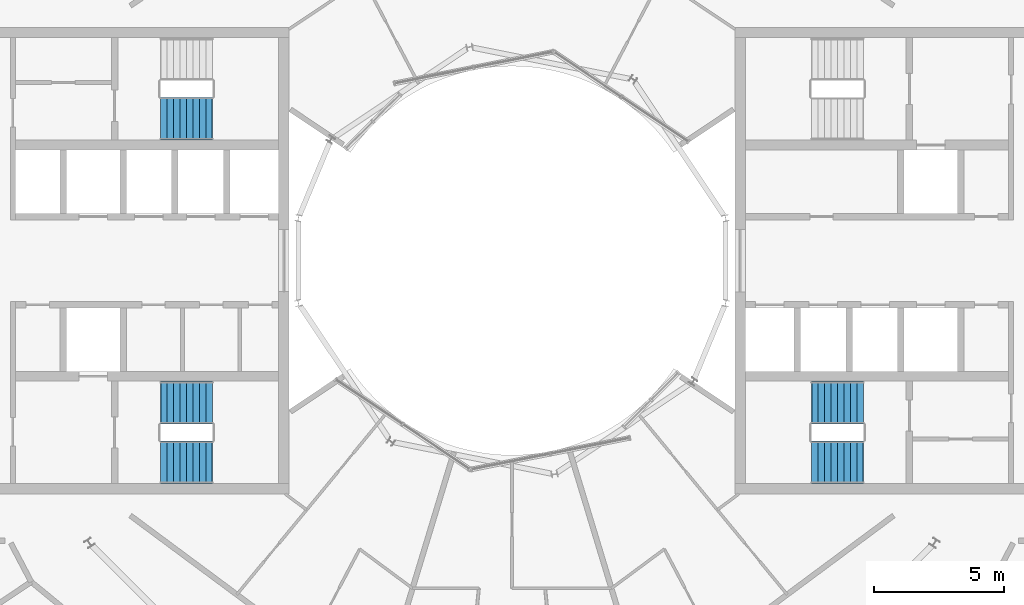
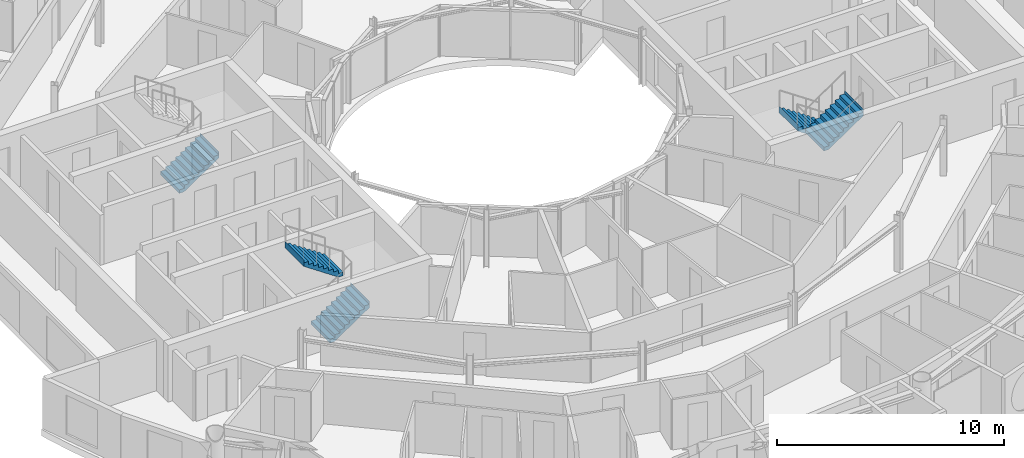
# One storey, part 25 of 28: 5 stair flights, 3 elements without a shape of their own.
"""IFC4 building model written with IfcOpenShell, lengths in metres."""

from ifc_helpers import new_model, si_unit, direction, frame, origin, place, context, subcontext, project, spatial, triangles, material, type_object, element, aggregate, save


model = new_model("IFC4")

# Units and contexts
model_context = context("Model", 3, precision=1e-05, world=origin(), true_north=direction((0.0, 1.0)))
body_context = subcontext(model_context, "Body", "Model", "MODEL_VIEW")
ifc_project = project(units=[si_unit("LENGTHUNIT", "METRE"), si_unit("AREAUNIT", "SQUARE_METRE"), si_unit("VOLUMEUNIT", "CUBIC_METRE"), si_unit("PLANEANGLEUNIT", "RADIAN"), si_unit("MASSUNIT", "GRAM", prefix="KILO")], contexts=[model_context])

# Site, building, storey
site_placement = place(None, origin())
site = spatial("IfcSite", under=ifc_project, at=site_placement, CompositionType="ELEMENT")
building_placement = place(site_placement, origin())
building = spatial("IfcBuilding", under=site, at=building_placement, Name="Maasbend Ring Residences", CompositionType="ELEMENT")
storey_placement = place(building_placement, frame((0.0, 0.0, 227.949951171875)))
storey = spatial("IfcBuildingStorey", under=building, at=storey_placement, Name="L65", CompositionType="ELEMENT", Elevation=227.949951171875)

# Stair, stair flights
ifc_material_1 = material(Name="Concrete C40/50", Category="concrete")
stair_type = type_object("IfcStairType", Name="CORE STAIR 18 RISERS", PredefinedType="HALF_TURN_STAIR", material=ifc_material_1)
stair_1_placement = place(storey_placement, origin())
stair_1 = element("IfcStair", 1, at=stair_1_placement, inside=storey, type_object=stair_type, Name="L65 Exit stair ST-E2", PredefinedType="HALF_TURN_STAIR")
ifc_material_2 = material(Name="Concrete C40/50", Category="concrete")
stair_flight_type = type_object("IfcStairFlightType", Name="CORE STAIR FLIGHT 1650", PredefinedType="STRAIGHT", material=ifc_material_2)
stair_flight_1_placement = place(storey_placement, frame((13.550048828125, -5.47509765625, 0.0), z_axis=(0.0, 0.0, 1.0), x_axis=(-1.0, 0.0, 0.0)))
stair_flight_1 = element("IfcStairFlight", 2, at=stair_flight_1_placement, type_object=stair_flight_type, Name="ST-E2 flight 1", NumberOfRisers=9, NumberOfTreads=8, PredefinedType="STRAIGHT", RiserHeight=0.169444444, TreadLength=0.25, context=body_context, shape_type="Tessellation", body=[
    triangles([(0.24072265625, 0.824951171875, -0.02001953125), (2.0029296875, 0.824951171875, 1.174560546875), (2.0029296875, 0.824951171875, 1.52490234375), (1.989990234375, 0.824951171875, 1.35546875), (1.75, 0.824951171875, 1.35546875), (1.75, 0.824951171875, 1.18603515625), (1.5, 0.824951171875, 1.18603515625), (1.5, 0.824951171875, 1.0166015625), (1.25, 0.824951171875, 1.0166015625), (1.25, 0.824951171875, 0.84716796875), (1.0, 0.824951171875, 0.84716796875), (1.0, 0.824951171875, 0.677734375), (0.75, 0.824951171875, 0.677734375), (0.75, 0.824951171875, 0.50830078125), (0.5, 0.824951171875, 0.50830078125), (0.5, 0.824951171875, 0.3388671875), (0.25, 0.824951171875, 0.3388671875), (0.25, 0.824951171875, 0.16943359375), (0.0, 0.824951171875, 0.16943359375), (0.0, 0.824951171875, 0.0), (-0.0029296875, 0.824951171875, 0.0), (-0.0029296875, 0.824951171875, -0.02001953125), (0.24072265625, 0.27490234375, -0.02001953125), (2.0029296875, 0.27490234375, 1.174560546875), (2.0029296875, 0.27490234375, 1.52490234375), (1.989990234375, 0.27490234375, 1.35546875), (1.75, 0.27490234375, 1.35546875), (1.75, 0.27490234375, 1.18603515625), (1.5, 0.27490234375, 1.18603515625), (1.5, 0.27490234375, 1.0166015625), (1.25, 0.27490234375, 1.0166015625), (1.25, 0.27490234375, 0.84716796875), (1.0, 0.27490234375, 0.84716796875), (1.0, 0.27490234375, 0.677734375), (0.75, 0.27490234375, 0.677734375), (0.75, 0.27490234375, 0.50830078125), (0.5, 0.27490234375, 0.50830078125), (0.5, 0.27490234375, 0.3388671875), (0.25, 0.27490234375, 0.3388671875), (0.25, 0.27490234375, 0.16943359375), (0.0, 0.27490234375, 0.16943359375), (0.0, 0.27490234375, 0.0), (-0.0029296875, 0.27490234375, 0.0), (-0.0029296875, 0.27490234375, -0.02001953125), (0.24072265625, -0.27490234375, -0.02001953125), (2.0029296875, -0.27490234375, 1.174560546875), (2.0029296875, -0.27490234375, 1.52490234375), (1.989990234375, -0.27490234375, 1.35546875), (1.75, -0.27490234375, 1.35546875), (1.75, -0.27490234375, 1.18603515625), (1.5, -0.27490234375, 1.18603515625), (1.5, -0.27490234375, 1.0166015625), (1.25, -0.27490234375, 1.0166015625), (1.25, -0.27490234375, 0.84716796875), (1.0, -0.27490234375, 0.84716796875), (1.0, -0.27490234375, 0.677734375), (0.75, -0.27490234375, 0.677734375), (0.75, -0.27490234375, 0.50830078125), (0.5, -0.27490234375, 0.50830078125), (0.5, -0.27490234375, 0.3388671875), (0.25, -0.27490234375, 0.3388671875), (0.25, -0.27490234375, 0.16943359375), (0.0, -0.27490234375, 0.16943359375), (0.0, -0.27490234375, 0.0), (-0.0029296875, -0.27490234375, 0.0), (-0.0029296875, -0.27490234375, -0.02001953125), (0.24072265625, -0.824951171875, -0.02001953125), (2.0029296875, -0.824951171875, 1.174560546875), (2.0029296875, -0.824951171875, 1.52490234375), (1.989990234375, -0.824951171875, 1.35546875), (1.75, -0.824951171875, 1.35546875), (1.75, -0.824951171875, 1.18603515625), (1.5, -0.824951171875, 1.18603515625), (1.5, -0.824951171875, 1.0166015625), (1.25, -0.824951171875, 1.0166015625), (1.25, -0.824951171875, 0.84716796875), (1.0, -0.824951171875, 0.84716796875), (1.0, -0.824951171875, 0.677734375), (0.75, -0.824951171875, 0.677734375), (0.75, -0.824951171875, 0.50830078125), (0.5, -0.824951171875, 0.50830078125), (0.5, -0.824951171875, 0.3388671875), (0.25, -0.824951171875, 0.3388671875), (0.25, -0.824951171875, 0.16943359375), (0.0, -0.824951171875, 0.16943359375), (0.0, -0.824951171875, 0.0), (-0.0029296875, -0.824951171875, 0.0), (-0.0029296875, -0.824951171875, -0.02001953125)], [[1, 2, 24], [1, 24, 23], [23, 24, 46], [23, 46, 45], [45, 46, 68], [45, 68, 67], [2, 3, 25], [2, 25, 24], [24, 25, 47], [24, 47, 46], [46, 47, 69], [46, 69, 68], [3, 4, 26], [3, 26, 25], [25, 26, 48], [25, 48, 47], [47, 48, 70], [47, 70, 69], [4, 5, 27], [4, 27, 26], [26, 27, 49], [26, 49, 48], [48, 49, 71], [48, 71, 70], [5, 6, 28], [5, 28, 27], [27, 28, 50], [27, 50, 49], [49, 50, 72], [49, 72, 71], [6, 7, 29], [6, 29, 28], [28, 29, 51], [28, 51, 50], [50, 51, 73], [50, 73, 72], [7, 8, 30], [7, 30, 29], [29, 30, 52], [29, 52, 51], [51, 52, 74], [51, 74, 73], [8, 9, 31], [8, 31, 30], [30, 31, 53], [30, 53, 52], [52, 53, 75], [52, 75, 74], [9, 10, 32], [9, 32, 31], [31, 32, 54], [31, 54, 53], [53, 54, 76], [53, 76, 75], [10, 11, 33], [10, 33, 32], [32, 33, 55], [32, 55, 54], [54, 55, 77], [54, 77, 76], [11, 12, 34], [11, 34, 33], [33, 34, 56], [33, 56, 55], [55, 56, 78], [55, 78, 77], [12, 13, 35], [12, 35, 34], [34, 35, 57], [34, 57, 56], [56, 57, 79], [56, 79, 78], [13, 14, 36], [13, 36, 35], [35, 36, 58], [35, 58, 57], [57, 58, 80], [57, 80, 79], [14, 15, 37], [14, 37, 36], [36, 37, 59], [36, 59, 58], [58, 59, 81], [58, 81, 80], [15, 16, 38], [15, 38, 37], [37, 38, 60], [37, 60, 59], [59, 60, 82], [59, 82, 81], [16, 17, 39], [16, 39, 38], [38, 39, 61], [38, 61, 60], [60, 61, 83], [60, 83, 82], [17, 18, 40], [17, 40, 39], [39, 40, 62], [39, 62, 61], [61, 62, 84], [61, 84, 83], [18, 19, 41], [18, 41, 40], [40, 41, 63], [40, 63, 62], [62, 63, 85], [62, 85, 84], [19, 20, 42], [19, 42, 41], [41, 42, 64], [41, 64, 63], [63, 64, 86], [63, 86, 85], [20, 21, 43], [20, 43, 42], [42, 43, 65], [42, 65, 64], [64, 65, 87], [64, 87, 86], [21, 22, 44], [21, 44, 43], [43, 44, 66], [43, 66, 65], [65, 66, 88], [65, 88, 87], [22, 1, 23], [22, 23, 44], [44, 23, 45], [44, 45, 66], [66, 45, 67], [66, 67, 88], [22, 2, 1], [2, 4, 3], [2, 5, 4], [2, 6, 5], [22, 6, 2], [6, 8, 7], [22, 8, 6], [8, 10, 9], [22, 10, 8], [10, 12, 11], [22, 12, 10], [12, 14, 13], [22, 14, 12], [14, 16, 15], [22, 16, 14], [16, 18, 17], [22, 18, 16], [18, 20, 19], [22, 20, 18], [20, 22, 21], [88, 67, 68], [68, 69, 70], [68, 70, 71], [68, 71, 72], [88, 68, 72], [72, 73, 74], [88, 72, 74], [74, 75, 76], [88, 74, 76], [76, 77, 78], [88, 76, 78], [78, 79, 80], [88, 78, 80], [80, 81, 82], [88, 80, 82], [82, 83, 84], [88, 82, 84], [84, 85, 86], [88, 84, 86], [86, 87, 88]], closed=True),
])
stair_flight_2_placement = place(storey_placement, frame((11.550048828125, -7.77490234375, 1.525146484375), z_axis=(0.0, 0.0, 1.0), x_axis=(1.0, 0.0, 0.0)))
stair_flight_2 = element("IfcStairFlight", 3, at=stair_flight_2_placement, type_object=stair_flight_type, Name="ST-E2 flight 2", NumberOfRisers=9, NumberOfTreads=8, PredefinedType="STRAIGHT", RiserHeight=0.169444444, TreadLength=0.25, context=body_context, shape_type="Tessellation", body=[
    triangles([(0.24072265625, 0.824951171875, -0.02001953125), (2.0029296875, 0.824951171875, 1.174560546875), (2.0029296875, 0.824951171875, 1.52490234375), (1.989990234375, 0.824951171875, 1.35546875), (1.75, 0.824951171875, 1.35546875), (1.75, 0.824951171875, 1.18603515625), (1.5, 0.824951171875, 1.18603515625), (1.5, 0.824951171875, 1.0166015625), (1.25, 0.824951171875, 1.0166015625), (1.25, 0.824951171875, 0.84716796875), (1.0, 0.824951171875, 0.84716796875), (1.0, 0.824951171875, 0.677734375), (0.75, 0.824951171875, 0.677734375), (0.75, 0.824951171875, 0.50830078125), (0.5, 0.824951171875, 0.50830078125), (0.5, 0.824951171875, 0.3388671875), (0.25, 0.824951171875, 0.3388671875), (0.25, 0.824951171875, 0.16943359375), (0.0, 0.824951171875, 0.16943359375), (0.0, 0.824951171875, 0.0), (-0.0029296875, 0.824951171875, 0.0), (-0.0029296875, 0.824951171875, -0.02001953125), (0.24072265625, 0.27490234375, -0.02001953125), (2.0029296875, 0.27490234375, 1.174560546875), (2.0029296875, 0.27490234375, 1.52490234375), (1.989990234375, 0.27490234375, 1.35546875), (1.75, 0.27490234375, 1.35546875), (1.75, 0.27490234375, 1.18603515625), (1.5, 0.27490234375, 1.18603515625), (1.5, 0.27490234375, 1.0166015625), (1.25, 0.27490234375, 1.0166015625), (1.25, 0.27490234375, 0.84716796875), (1.0, 0.27490234375, 0.84716796875), (1.0, 0.27490234375, 0.677734375), (0.75, 0.27490234375, 0.677734375), (0.75, 0.27490234375, 0.50830078125), (0.5, 0.27490234375, 0.50830078125), (0.5, 0.27490234375, 0.3388671875), (0.25, 0.27490234375, 0.3388671875), (0.25, 0.27490234375, 0.16943359375), (0.0, 0.27490234375, 0.16943359375), (0.0, 0.27490234375, 0.0), (-0.0029296875, 0.27490234375, 0.0), (-0.0029296875, 0.27490234375, -0.02001953125), (0.24072265625, -0.27490234375, -0.02001953125), (2.0029296875, -0.27490234375, 1.174560546875), (2.0029296875, -0.27490234375, 1.52490234375), (1.989990234375, -0.27490234375, 1.35546875), (1.75, -0.27490234375, 1.35546875), (1.75, -0.27490234375, 1.18603515625), (1.5, -0.27490234375, 1.18603515625), (1.5, -0.27490234375, 1.0166015625), (1.25, -0.27490234375, 1.0166015625), (1.25, -0.27490234375, 0.84716796875), (1.0, -0.27490234375, 0.84716796875), (1.0, -0.27490234375, 0.677734375), (0.75, -0.27490234375, 0.677734375), (0.75, -0.27490234375, 0.50830078125), (0.5, -0.27490234375, 0.50830078125), (0.5, -0.27490234375, 0.3388671875), (0.25, -0.27490234375, 0.3388671875), (0.25, -0.27490234375, 0.16943359375), (0.0, -0.27490234375, 0.16943359375), (0.0, -0.27490234375, 0.0), (-0.0029296875, -0.27490234375, 0.0), (-0.0029296875, -0.27490234375, -0.02001953125), (0.24072265625, -0.824951171875, -0.02001953125), (2.0029296875, -0.824951171875, 1.174560546875), (2.0029296875, -0.824951171875, 1.52490234375), (1.989990234375, -0.824951171875, 1.35546875), (1.75, -0.824951171875, 1.35546875), (1.75, -0.824951171875, 1.18603515625), (1.5, -0.824951171875, 1.18603515625), (1.5, -0.824951171875, 1.0166015625), (1.25, -0.824951171875, 1.0166015625), (1.25, -0.824951171875, 0.84716796875), (1.0, -0.824951171875, 0.84716796875), (1.0, -0.824951171875, 0.677734375), (0.75, -0.824951171875, 0.677734375), (0.75, -0.824951171875, 0.50830078125), (0.5, -0.824951171875, 0.50830078125), (0.5, -0.824951171875, 0.3388671875), (0.25, -0.824951171875, 0.3388671875), (0.25, -0.824951171875, 0.16943359375), (0.0, -0.824951171875, 0.16943359375), (0.0, -0.824951171875, 0.0), (-0.0029296875, -0.824951171875, 0.0), (-0.0029296875, -0.824951171875, -0.02001953125)], [[1, 2, 24], [1, 24, 23], [23, 24, 46], [23, 46, 45], [45, 46, 68], [45, 68, 67], [2, 3, 25], [2, 25, 24], [24, 25, 47], [24, 47, 46], [46, 47, 69], [46, 69, 68], [3, 4, 26], [3, 26, 25], [25, 26, 48], [25, 48, 47], [47, 48, 70], [47, 70, 69], [4, 5, 27], [4, 27, 26], [26, 27, 49], [26, 49, 48], [48, 49, 71], [48, 71, 70], [5, 6, 28], [5, 28, 27], [27, 28, 50], [27, 50, 49], [49, 50, 72], [49, 72, 71], [6, 7, 29], [6, 29, 28], [28, 29, 51], [28, 51, 50], [50, 51, 73], [50, 73, 72], [7, 8, 30], [7, 30, 29], [29, 30, 52], [29, 52, 51], [51, 52, 74], [51, 74, 73], [8, 9, 31], [8, 31, 30], [30, 31, 53], [30, 53, 52], [52, 53, 75], [52, 75, 74], [9, 10, 32], [9, 32, 31], [31, 32, 54], [31, 54, 53], [53, 54, 76], [53, 76, 75], [10, 11, 33], [10, 33, 32], [32, 33, 55], [32, 55, 54], [54, 55, 77], [54, 77, 76], [11, 12, 34], [11, 34, 33], [33, 34, 56], [33, 56, 55], [55, 56, 78], [55, 78, 77], [12, 13, 35], [12, 35, 34], [34, 35, 57], [34, 57, 56], [56, 57, 79], [56, 79, 78], [13, 14, 36], [13, 36, 35], [35, 36, 58], [35, 58, 57], [57, 58, 80], [57, 80, 79], [14, 15, 37], [14, 37, 36], [36, 37, 59], [36, 59, 58], [58, 59, 81], [58, 81, 80], [15, 16, 38], [15, 38, 37], [37, 38, 60], [37, 60, 59], [59, 60, 82], [59, 82, 81], [16, 17, 39], [16, 39, 38], [38, 39, 61], [38, 61, 60], [60, 61, 83], [60, 83, 82], [17, 18, 40], [17, 40, 39], [39, 40, 62], [39, 62, 61], [61, 62, 84], [61, 84, 83], [18, 19, 41], [18, 41, 40], [40, 41, 63], [40, 63, 62], [62, 63, 85], [62, 85, 84], [19, 20, 42], [19, 42, 41], [41, 42, 64], [41, 64, 63], [63, 64, 86], [63, 86, 85], [20, 21, 43], [20, 43, 42], [42, 43, 65], [42, 65, 64], [64, 65, 87], [64, 87, 86], [21, 22, 44], [21, 44, 43], [43, 44, 66], [43, 66, 65], [65, 66, 88], [65, 88, 87], [22, 1, 23], [22, 23, 44], [44, 23, 45], [44, 45, 66], [66, 45, 67], [66, 67, 88], [22, 2, 1], [2, 4, 3], [2, 5, 4], [2, 6, 5], [22, 6, 2], [6, 8, 7], [22, 8, 6], [8, 10, 9], [22, 10, 8], [10, 12, 11], [22, 12, 10], [12, 14, 13], [22, 14, 12], [14, 16, 15], [22, 16, 14], [16, 18, 17], [22, 18, 16], [18, 20, 19], [22, 20, 18], [20, 22, 21], [88, 67, 68], [68, 69, 70], [68, 70, 71], [68, 71, 72], [88, 68, 72], [72, 73, 74], [88, 72, 74], [74, 75, 76], [88, 74, 76], [76, 77, 78], [88, 76, 78], [78, 79, 80], [88, 78, 80], [80, 81, 82], [88, 80, 82], [82, 83, 84], [88, 82, 84], [84, 85, 86], [88, 84, 86], [86, 87, 88]], closed=True),
])
aggregate(stair_1, [stair_flight_1, stair_flight_2])

stair_2_placement = place(storey_placement, origin())
stair_2 = element("IfcStair", 4, at=stair_2_placement, inside=storey, type_object=stair_type, Name="L65 Exit stair ST-W1", PredefinedType="HALF_TURN_STAIR")
stair_flight_3_placement = place(storey_placement, frame((-13.550048828125, -7.77490234375, 0.0), z_axis=(0.0, 0.0, 1.0), x_axis=(1.0, 0.0, 0.0)))
stair_flight_3 = element("IfcStairFlight", 5, at=stair_flight_3_placement, type_object=stair_flight_type, Name="ST-W1 flight 1", NumberOfRisers=9, NumberOfTreads=8, PredefinedType="STRAIGHT", RiserHeight=0.169444444, TreadLength=0.25, context=body_context, shape_type="Tessellation", body=[
    triangles([(0.24072265625, 0.824951171875, -0.02001953125), (2.0029296875, 0.824951171875, 1.174560546875), (2.0029296875, 0.824951171875, 1.52490234375), (1.989990234375, 0.824951171875, 1.35546875), (1.75, 0.824951171875, 1.35546875), (1.75, 0.824951171875, 1.18603515625), (1.5, 0.824951171875, 1.18603515625), (1.5, 0.824951171875, 1.0166015625), (1.25, 0.824951171875, 1.0166015625), (1.25, 0.824951171875, 0.84716796875), (1.0, 0.824951171875, 0.84716796875), (1.0, 0.824951171875, 0.677734375), (0.75, 0.824951171875, 0.677734375), (0.75, 0.824951171875, 0.50830078125), (0.5, 0.824951171875, 0.50830078125), (0.5, 0.824951171875, 0.3388671875), (0.25, 0.824951171875, 0.3388671875), (0.25, 0.824951171875, 0.16943359375), (0.0, 0.824951171875, 0.16943359375), (0.0, 0.824951171875, 0.0), (-0.0029296875, 0.824951171875, 0.0), (-0.0029296875, 0.824951171875, -0.02001953125), (0.24072265625, 0.27490234375, -0.02001953125), (2.0029296875, 0.27490234375, 1.174560546875), (2.0029296875, 0.27490234375, 1.52490234375), (1.989990234375, 0.27490234375, 1.35546875), (1.75, 0.27490234375, 1.35546875), (1.75, 0.27490234375, 1.18603515625), (1.5, 0.27490234375, 1.18603515625), (1.5, 0.27490234375, 1.0166015625), (1.25, 0.27490234375, 1.0166015625), (1.25, 0.27490234375, 0.84716796875), (1.0, 0.27490234375, 0.84716796875), (1.0, 0.27490234375, 0.677734375), (0.75, 0.27490234375, 0.677734375), (0.75, 0.27490234375, 0.50830078125), (0.5, 0.27490234375, 0.50830078125), (0.5, 0.27490234375, 0.3388671875), (0.25, 0.27490234375, 0.3388671875), (0.25, 0.27490234375, 0.16943359375), (0.0, 0.27490234375, 0.16943359375), (0.0, 0.27490234375, 0.0), (-0.0029296875, 0.27490234375, 0.0), (-0.0029296875, 0.27490234375, -0.02001953125), (0.24072265625, -0.27490234375, -0.02001953125), (2.0029296875, -0.27490234375, 1.174560546875), (2.0029296875, -0.27490234375, 1.52490234375), (1.989990234375, -0.27490234375, 1.35546875), (1.75, -0.27490234375, 1.35546875), (1.75, -0.27490234375, 1.18603515625), (1.5, -0.27490234375, 1.18603515625), (1.5, -0.27490234375, 1.0166015625), (1.25, -0.27490234375, 1.0166015625), (1.25, -0.27490234375, 0.84716796875), (1.0, -0.27490234375, 0.84716796875), (1.0, -0.27490234375, 0.677734375), (0.75, -0.27490234375, 0.677734375), (0.75, -0.27490234375, 0.50830078125), (0.5, -0.27490234375, 0.50830078125), (0.5, -0.27490234375, 0.3388671875), (0.25, -0.27490234375, 0.3388671875), (0.25, -0.27490234375, 0.16943359375), (0.0, -0.27490234375, 0.16943359375), (0.0, -0.27490234375, 0.0), (-0.0029296875, -0.27490234375, 0.0), (-0.0029296875, -0.27490234375, -0.02001953125), (0.24072265625, -0.824951171875, -0.02001953125), (2.0029296875, -0.824951171875, 1.174560546875), (2.0029296875, -0.824951171875, 1.52490234375), (1.989990234375, -0.824951171875, 1.35546875), (1.75, -0.824951171875, 1.35546875), (1.75, -0.824951171875, 1.18603515625), (1.5, -0.824951171875, 1.18603515625), (1.5, -0.824951171875, 1.0166015625), (1.25, -0.824951171875, 1.0166015625), (1.25, -0.824951171875, 0.84716796875), (1.0, -0.824951171875, 0.84716796875), (1.0, -0.824951171875, 0.677734375), (0.75, -0.824951171875, 0.677734375), (0.75, -0.824951171875, 0.50830078125), (0.5, -0.824951171875, 0.50830078125), (0.5, -0.824951171875, 0.3388671875), (0.25, -0.824951171875, 0.3388671875), (0.25, -0.824951171875, 0.16943359375), (0.0, -0.824951171875, 0.16943359375), (0.0, -0.824951171875, 0.0), (-0.0029296875, -0.824951171875, 0.0), (-0.0029296875, -0.824951171875, -0.02001953125)], [[1, 2, 24], [1, 24, 23], [23, 24, 46], [23, 46, 45], [45, 46, 68], [45, 68, 67], [2, 3, 25], [2, 25, 24], [24, 25, 47], [24, 47, 46], [46, 47, 69], [46, 69, 68], [3, 4, 26], [3, 26, 25], [25, 26, 48], [25, 48, 47], [47, 48, 70], [47, 70, 69], [4, 5, 27], [4, 27, 26], [26, 27, 49], [26, 49, 48], [48, 49, 71], [48, 71, 70], [5, 6, 28], [5, 28, 27], [27, 28, 50], [27, 50, 49], [49, 50, 72], [49, 72, 71], [6, 7, 29], [6, 29, 28], [28, 29, 51], [28, 51, 50], [50, 51, 73], [50, 73, 72], [7, 8, 30], [7, 30, 29], [29, 30, 52], [29, 52, 51], [51, 52, 74], [51, 74, 73], [8, 9, 31], [8, 31, 30], [30, 31, 53], [30, 53, 52], [52, 53, 75], [52, 75, 74], [9, 10, 32], [9, 32, 31], [31, 32, 54], [31, 54, 53], [53, 54, 76], [53, 76, 75], [10, 11, 33], [10, 33, 32], [32, 33, 55], [32, 55, 54], [54, 55, 77], [54, 77, 76], [11, 12, 34], [11, 34, 33], [33, 34, 56], [33, 56, 55], [55, 56, 78], [55, 78, 77], [12, 13, 35], [12, 35, 34], [34, 35, 57], [34, 57, 56], [56, 57, 79], [56, 79, 78], [13, 14, 36], [13, 36, 35], [35, 36, 58], [35, 58, 57], [57, 58, 80], [57, 80, 79], [14, 15, 37], [14, 37, 36], [36, 37, 59], [36, 59, 58], [58, 59, 81], [58, 81, 80], [15, 16, 38], [15, 38, 37], [37, 38, 60], [37, 60, 59], [59, 60, 82], [59, 82, 81], [16, 17, 39], [16, 39, 38], [38, 39, 61], [38, 61, 60], [60, 61, 83], [60, 83, 82], [17, 18, 40], [17, 40, 39], [39, 40, 62], [39, 62, 61], [61, 62, 84], [61, 84, 83], [18, 19, 41], [18, 41, 40], [40, 41, 63], [40, 63, 62], [62, 63, 85], [62, 85, 84], [19, 20, 42], [19, 42, 41], [41, 42, 64], [41, 64, 63], [63, 64, 86], [63, 86, 85], [20, 21, 43], [20, 43, 42], [42, 43, 65], [42, 65, 64], [64, 65, 87], [64, 87, 86], [21, 22, 44], [21, 44, 43], [43, 44, 66], [43, 66, 65], [65, 66, 88], [65, 88, 87], [22, 1, 23], [22, 23, 44], [44, 23, 45], [44, 45, 66], [66, 45, 67], [66, 67, 88], [22, 2, 1], [2, 4, 3], [2, 5, 4], [2, 6, 5], [22, 6, 2], [6, 8, 7], [22, 8, 6], [8, 10, 9], [22, 10, 8], [10, 12, 11], [22, 12, 10], [12, 14, 13], [22, 14, 12], [14, 16, 15], [22, 16, 14], [16, 18, 17], [22, 18, 16], [18, 20, 19], [22, 20, 18], [20, 22, 21], [88, 67, 68], [68, 69, 70], [68, 70, 71], [68, 71, 72], [88, 68, 72], [72, 73, 74], [88, 72, 74], [74, 75, 76], [88, 74, 76], [76, 77, 78], [88, 76, 78], [78, 79, 80], [88, 78, 80], [80, 81, 82], [88, 80, 82], [82, 83, 84], [88, 82, 84], [84, 85, 86], [88, 84, 86], [86, 87, 88]], closed=True),
])
stair_flight_4_placement = place(storey_placement, frame((-11.550048828125, -5.47509765625, 1.525146484375), z_axis=(0.0, 0.0, 1.0), x_axis=(-1.0, 0.0, 0.0)))
stair_flight_4 = element("IfcStairFlight", 6, at=stair_flight_4_placement, type_object=stair_flight_type, Name="ST-W1 flight 2", NumberOfRisers=9, NumberOfTreads=8, PredefinedType="STRAIGHT", RiserHeight=0.169444444, TreadLength=0.25, context=body_context, shape_type="Tessellation", body=[
    triangles([(0.24072265625, 0.824951171875, -0.02001953125), (2.0029296875, 0.824951171875, 1.174560546875), (2.0029296875, 0.824951171875, 1.52490234375), (1.989990234375, 0.824951171875, 1.35546875), (1.75, 0.824951171875, 1.35546875), (1.75, 0.824951171875, 1.18603515625), (1.5, 0.824951171875, 1.18603515625), (1.5, 0.824951171875, 1.0166015625), (1.25, 0.824951171875, 1.0166015625), (1.25, 0.824951171875, 0.84716796875), (1.0, 0.824951171875, 0.84716796875), (1.0, 0.824951171875, 0.677734375), (0.75, 0.824951171875, 0.677734375), (0.75, 0.824951171875, 0.50830078125), (0.5, 0.824951171875, 0.50830078125), (0.5, 0.824951171875, 0.3388671875), (0.25, 0.824951171875, 0.3388671875), (0.25, 0.824951171875, 0.16943359375), (0.0, 0.824951171875, 0.16943359375), (0.0, 0.824951171875, 0.0), (-0.0029296875, 0.824951171875, 0.0), (-0.0029296875, 0.824951171875, -0.02001953125), (0.24072265625, 0.27490234375, -0.02001953125), (2.0029296875, 0.27490234375, 1.174560546875), (2.0029296875, 0.27490234375, 1.52490234375), (1.989990234375, 0.27490234375, 1.35546875), (1.75, 0.27490234375, 1.35546875), (1.75, 0.27490234375, 1.18603515625), (1.5, 0.27490234375, 1.18603515625), (1.5, 0.27490234375, 1.0166015625), (1.25, 0.27490234375, 1.0166015625), (1.25, 0.27490234375, 0.84716796875), (1.0, 0.27490234375, 0.84716796875), (1.0, 0.27490234375, 0.677734375), (0.75, 0.27490234375, 0.677734375), (0.75, 0.27490234375, 0.50830078125), (0.5, 0.27490234375, 0.50830078125), (0.5, 0.27490234375, 0.3388671875), (0.25, 0.27490234375, 0.3388671875), (0.25, 0.27490234375, 0.16943359375), (0.0, 0.27490234375, 0.16943359375), (0.0, 0.27490234375, 0.0), (-0.0029296875, 0.27490234375, 0.0), (-0.0029296875, 0.27490234375, -0.02001953125), (0.24072265625, -0.27490234375, -0.02001953125), (2.0029296875, -0.27490234375, 1.174560546875), (2.0029296875, -0.27490234375, 1.52490234375), (1.989990234375, -0.27490234375, 1.35546875), (1.75, -0.27490234375, 1.35546875), (1.75, -0.27490234375, 1.18603515625), (1.5, -0.27490234375, 1.18603515625), (1.5, -0.27490234375, 1.0166015625), (1.25, -0.27490234375, 1.0166015625), (1.25, -0.27490234375, 0.84716796875), (1.0, -0.27490234375, 0.84716796875), (1.0, -0.27490234375, 0.677734375), (0.75, -0.27490234375, 0.677734375), (0.75, -0.27490234375, 0.50830078125), (0.5, -0.27490234375, 0.50830078125), (0.5, -0.27490234375, 0.3388671875), (0.25, -0.27490234375, 0.3388671875), (0.25, -0.27490234375, 0.16943359375), (0.0, -0.27490234375, 0.16943359375), (0.0, -0.27490234375, 0.0), (-0.0029296875, -0.27490234375, 0.0), (-0.0029296875, -0.27490234375, -0.02001953125), (0.24072265625, -0.824951171875, -0.02001953125), (2.0029296875, -0.824951171875, 1.174560546875), (2.0029296875, -0.824951171875, 1.52490234375), (1.989990234375, -0.824951171875, 1.35546875), (1.75, -0.824951171875, 1.35546875), (1.75, -0.824951171875, 1.18603515625), (1.5, -0.824951171875, 1.18603515625), (1.5, -0.824951171875, 1.0166015625), (1.25, -0.824951171875, 1.0166015625), (1.25, -0.824951171875, 0.84716796875), (1.0, -0.824951171875, 0.84716796875), (1.0, -0.824951171875, 0.677734375), (0.75, -0.824951171875, 0.677734375), (0.75, -0.824951171875, 0.50830078125), (0.5, -0.824951171875, 0.50830078125), (0.5, -0.824951171875, 0.3388671875), (0.25, -0.824951171875, 0.3388671875), (0.25, -0.824951171875, 0.16943359375), (0.0, -0.824951171875, 0.16943359375), (0.0, -0.824951171875, 0.0), (-0.0029296875, -0.824951171875, 0.0), (-0.0029296875, -0.824951171875, -0.02001953125)], [[1, 2, 24], [1, 24, 23], [23, 24, 46], [23, 46, 45], [45, 46, 68], [45, 68, 67], [2, 3, 25], [2, 25, 24], [24, 25, 47], [24, 47, 46], [46, 47, 69], [46, 69, 68], [3, 4, 26], [3, 26, 25], [25, 26, 48], [25, 48, 47], [47, 48, 70], [47, 70, 69], [4, 5, 27], [4, 27, 26], [26, 27, 49], [26, 49, 48], [48, 49, 71], [48, 71, 70], [5, 6, 28], [5, 28, 27], [27, 28, 50], [27, 50, 49], [49, 50, 72], [49, 72, 71], [6, 7, 29], [6, 29, 28], [28, 29, 51], [28, 51, 50], [50, 51, 73], [50, 73, 72], [7, 8, 30], [7, 30, 29], [29, 30, 52], [29, 52, 51], [51, 52, 74], [51, 74, 73], [8, 9, 31], [8, 31, 30], [30, 31, 53], [30, 53, 52], [52, 53, 75], [52, 75, 74], [9, 10, 32], [9, 32, 31], [31, 32, 54], [31, 54, 53], [53, 54, 76], [53, 76, 75], [10, 11, 33], [10, 33, 32], [32, 33, 55], [32, 55, 54], [54, 55, 77], [54, 77, 76], [11, 12, 34], [11, 34, 33], [33, 34, 56], [33, 56, 55], [55, 56, 78], [55, 78, 77], [12, 13, 35], [12, 35, 34], [34, 35, 57], [34, 57, 56], [56, 57, 79], [56, 79, 78], [13, 14, 36], [13, 36, 35], [35, 36, 58], [35, 58, 57], [57, 58, 80], [57, 80, 79], [14, 15, 37], [14, 37, 36], [36, 37, 59], [36, 59, 58], [58, 59, 81], [58, 81, 80], [15, 16, 38], [15, 38, 37], [37, 38, 60], [37, 60, 59], [59, 60, 82], [59, 82, 81], [16, 17, 39], [16, 39, 38], [38, 39, 61], [38, 61, 60], [60, 61, 83], [60, 83, 82], [17, 18, 40], [17, 40, 39], [39, 40, 62], [39, 62, 61], [61, 62, 84], [61, 84, 83], [18, 19, 41], [18, 41, 40], [40, 41, 63], [40, 63, 62], [62, 63, 85], [62, 85, 84], [19, 20, 42], [19, 42, 41], [41, 42, 64], [41, 64, 63], [63, 64, 86], [63, 86, 85], [20, 21, 43], [20, 43, 42], [42, 43, 65], [42, 65, 64], [64, 65, 87], [64, 87, 86], [21, 22, 44], [21, 44, 43], [43, 44, 66], [43, 66, 65], [65, 66, 88], [65, 88, 87], [22, 1, 23], [22, 23, 44], [44, 23, 45], [44, 45, 66], [66, 45, 67], [66, 67, 88], [22, 2, 1], [2, 4, 3], [2, 5, 4], [2, 6, 5], [22, 6, 2], [6, 8, 7], [22, 8, 6], [8, 10, 9], [22, 10, 8], [10, 12, 11], [22, 12, 10], [12, 14, 13], [22, 14, 12], [14, 16, 15], [22, 16, 14], [16, 18, 17], [22, 18, 16], [18, 20, 19], [22, 20, 18], [20, 22, 21], [88, 67, 68], [68, 69, 70], [68, 70, 71], [68, 71, 72], [88, 68, 72], [72, 73, 74], [88, 72, 74], [74, 75, 76], [88, 74, 76], [76, 77, 78], [88, 76, 78], [78, 79, 80], [88, 78, 80], [80, 81, 82], [88, 80, 82], [82, 83, 84], [88, 82, 84], [84, 85, 86], [88, 84, 86], [86, 87, 88]], closed=True),
])
aggregate(stair_2, [stair_flight_3, stair_flight_4])

# Stair, stair flight
stair_3_placement = place(storey_placement, origin())
stair_3 = element("IfcStair", 7, at=stair_3_placement, inside=storey, type_object=stair_type, Name="L65 Exit stair ST-W2", PredefinedType="HALF_TURN_STAIR")
stair_flight_5_placement = place(storey_placement, frame((-13.550048828125, 5.47509765625, 0.0), z_axis=(0.0, 0.0, 1.0), x_axis=(1.0, 0.0, 0.0)))
stair_flight_5 = element("IfcStairFlight", 8, at=stair_flight_5_placement, type_object=stair_flight_type, Name="ST-W2 flight 1", NumberOfRisers=9, NumberOfTreads=8, PredefinedType="STRAIGHT", RiserHeight=0.169444444, TreadLength=0.25, context=body_context, shape_type="Tessellation", body=[
    triangles([(0.24072265625, 0.824951171875, -0.02001953125), (2.0029296875, 0.824951171875, 1.174560546875), (2.0029296875, 0.824951171875, 1.52490234375), (1.989990234375, 0.824951171875, 1.35546875), (1.75, 0.824951171875, 1.35546875), (1.75, 0.824951171875, 1.18603515625), (1.5, 0.824951171875, 1.18603515625), (1.5, 0.824951171875, 1.0166015625), (1.25, 0.824951171875, 1.0166015625), (1.25, 0.824951171875, 0.84716796875), (1.0, 0.824951171875, 0.84716796875), (1.0, 0.824951171875, 0.677734375), (0.75, 0.824951171875, 0.677734375), (0.75, 0.824951171875, 0.50830078125), (0.5, 0.824951171875, 0.50830078125), (0.5, 0.824951171875, 0.3388671875), (0.25, 0.824951171875, 0.3388671875), (0.25, 0.824951171875, 0.16943359375), (0.0, 0.824951171875, 0.16943359375), (0.0, 0.824951171875, 0.0), (-0.0029296875, 0.824951171875, 0.0), (-0.0029296875, 0.824951171875, -0.02001953125), (0.24072265625, 0.27490234375, -0.02001953125), (2.0029296875, 0.27490234375, 1.174560546875), (2.0029296875, 0.27490234375, 1.52490234375), (1.989990234375, 0.27490234375, 1.35546875), (1.75, 0.27490234375, 1.35546875), (1.75, 0.27490234375, 1.18603515625), (1.5, 0.27490234375, 1.18603515625), (1.5, 0.27490234375, 1.0166015625), (1.25, 0.27490234375, 1.0166015625), (1.25, 0.27490234375, 0.84716796875), (1.0, 0.27490234375, 0.84716796875), (1.0, 0.27490234375, 0.677734375), (0.75, 0.27490234375, 0.677734375), (0.75, 0.27490234375, 0.50830078125), (0.5, 0.27490234375, 0.50830078125), (0.5, 0.27490234375, 0.3388671875), (0.25, 0.27490234375, 0.3388671875), (0.25, 0.27490234375, 0.16943359375), (0.0, 0.27490234375, 0.16943359375), (0.0, 0.27490234375, 0.0), (-0.0029296875, 0.27490234375, 0.0), (-0.0029296875, 0.27490234375, -0.02001953125), (0.24072265625, -0.27490234375, -0.02001953125), (2.0029296875, -0.27490234375, 1.174560546875), (2.0029296875, -0.27490234375, 1.52490234375), (1.989990234375, -0.27490234375, 1.35546875), (1.75, -0.27490234375, 1.35546875), (1.75, -0.27490234375, 1.18603515625), (1.5, -0.27490234375, 1.18603515625), (1.5, -0.27490234375, 1.0166015625), (1.25, -0.27490234375, 1.0166015625), (1.25, -0.27490234375, 0.84716796875), (1.0, -0.27490234375, 0.84716796875), (1.0, -0.27490234375, 0.677734375), (0.75, -0.27490234375, 0.677734375), (0.75, -0.27490234375, 0.50830078125), (0.5, -0.27490234375, 0.50830078125), (0.5, -0.27490234375, 0.3388671875), (0.25, -0.27490234375, 0.3388671875), (0.25, -0.27490234375, 0.16943359375), (0.0, -0.27490234375, 0.16943359375), (0.0, -0.27490234375, 0.0), (-0.0029296875, -0.27490234375, 0.0), (-0.0029296875, -0.27490234375, -0.02001953125), (0.24072265625, -0.824951171875, -0.02001953125), (2.0029296875, -0.824951171875, 1.174560546875), (2.0029296875, -0.824951171875, 1.52490234375), (1.989990234375, -0.824951171875, 1.35546875), (1.75, -0.824951171875, 1.35546875), (1.75, -0.824951171875, 1.18603515625), (1.5, -0.824951171875, 1.18603515625), (1.5, -0.824951171875, 1.0166015625), (1.25, -0.824951171875, 1.0166015625), (1.25, -0.824951171875, 0.84716796875), (1.0, -0.824951171875, 0.84716796875), (1.0, -0.824951171875, 0.677734375), (0.75, -0.824951171875, 0.677734375), (0.75, -0.824951171875, 0.50830078125), (0.5, -0.824951171875, 0.50830078125), (0.5, -0.824951171875, 0.3388671875), (0.25, -0.824951171875, 0.3388671875), (0.25, -0.824951171875, 0.16943359375), (0.0, -0.824951171875, 0.16943359375), (0.0, -0.824951171875, 0.0), (-0.0029296875, -0.824951171875, 0.0), (-0.0029296875, -0.824951171875, -0.02001953125)], [[1, 2, 24], [1, 24, 23], [23, 24, 46], [23, 46, 45], [45, 46, 68], [45, 68, 67], [2, 3, 25], [2, 25, 24], [24, 25, 47], [24, 47, 46], [46, 47, 69], [46, 69, 68], [3, 4, 26], [3, 26, 25], [25, 26, 48], [25, 48, 47], [47, 48, 70], [47, 70, 69], [4, 5, 27], [4, 27, 26], [26, 27, 49], [26, 49, 48], [48, 49, 71], [48, 71, 70], [5, 6, 28], [5, 28, 27], [27, 28, 50], [27, 50, 49], [49, 50, 72], [49, 72, 71], [6, 7, 29], [6, 29, 28], [28, 29, 51], [28, 51, 50], [50, 51, 73], [50, 73, 72], [7, 8, 30], [7, 30, 29], [29, 30, 52], [29, 52, 51], [51, 52, 74], [51, 74, 73], [8, 9, 31], [8, 31, 30], [30, 31, 53], [30, 53, 52], [52, 53, 75], [52, 75, 74], [9, 10, 32], [9, 32, 31], [31, 32, 54], [31, 54, 53], [53, 54, 76], [53, 76, 75], [10, 11, 33], [10, 33, 32], [32, 33, 55], [32, 55, 54], [54, 55, 77], [54, 77, 76], [11, 12, 34], [11, 34, 33], [33, 34, 56], [33, 56, 55], [55, 56, 78], [55, 78, 77], [12, 13, 35], [12, 35, 34], [34, 35, 57], [34, 57, 56], [56, 57, 79], [56, 79, 78], [13, 14, 36], [13, 36, 35], [35, 36, 58], [35, 58, 57], [57, 58, 80], [57, 80, 79], [14, 15, 37], [14, 37, 36], [36, 37, 59], [36, 59, 58], [58, 59, 81], [58, 81, 80], [15, 16, 38], [15, 38, 37], [37, 38, 60], [37, 60, 59], [59, 60, 82], [59, 82, 81], [16, 17, 39], [16, 39, 38], [38, 39, 61], [38, 61, 60], [60, 61, 83], [60, 83, 82], [17, 18, 40], [17, 40, 39], [39, 40, 62], [39, 62, 61], [61, 62, 84], [61, 84, 83], [18, 19, 41], [18, 41, 40], [40, 41, 63], [40, 63, 62], [62, 63, 85], [62, 85, 84], [19, 20, 42], [19, 42, 41], [41, 42, 64], [41, 64, 63], [63, 64, 86], [63, 86, 85], [20, 21, 43], [20, 43, 42], [42, 43, 65], [42, 65, 64], [64, 65, 87], [64, 87, 86], [21, 22, 44], [21, 44, 43], [43, 44, 66], [43, 66, 65], [65, 66, 88], [65, 88, 87], [22, 1, 23], [22, 23, 44], [44, 23, 45], [44, 45, 66], [66, 45, 67], [66, 67, 88], [22, 2, 1], [2, 4, 3], [2, 5, 4], [2, 6, 5], [22, 6, 2], [6, 8, 7], [22, 8, 6], [8, 10, 9], [22, 10, 8], [10, 12, 11], [22, 12, 10], [12, 14, 13], [22, 14, 12], [14, 16, 15], [22, 16, 14], [16, 18, 17], [22, 18, 16], [18, 20, 19], [22, 20, 18], [20, 22, 21], [88, 67, 68], [68, 69, 70], [68, 70, 71], [68, 71, 72], [88, 68, 72], [72, 73, 74], [88, 72, 74], [74, 75, 76], [88, 74, 76], [76, 77, 78], [88, 76, 78], [78, 79, 80], [88, 78, 80], [80, 81, 82], [88, 80, 82], [82, 83, 84], [88, 82, 84], [84, 85, 86], [88, 84, 86], [86, 87, 88]], closed=True),
])
aggregate(stair_3, [stair_flight_5])

save(model, "model.ifc")
